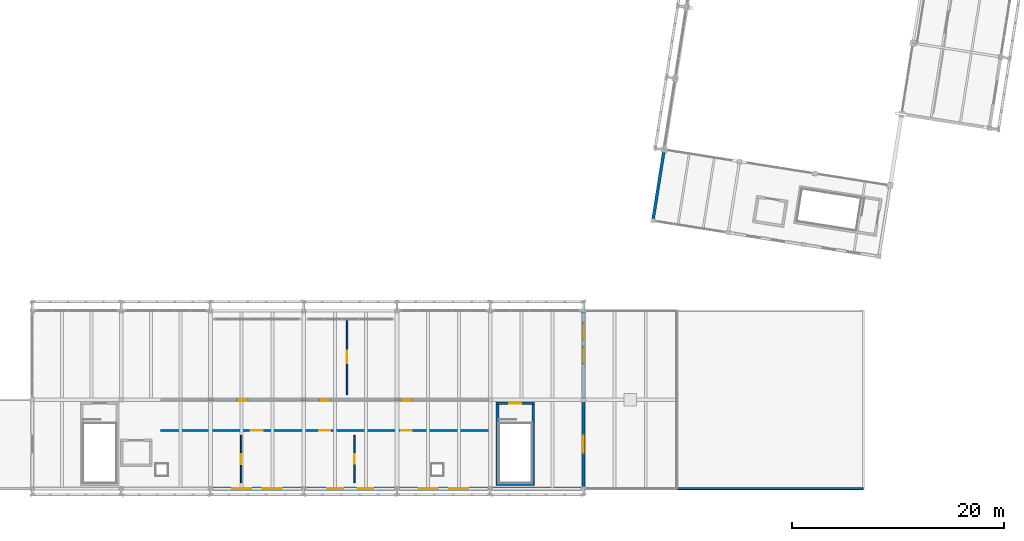
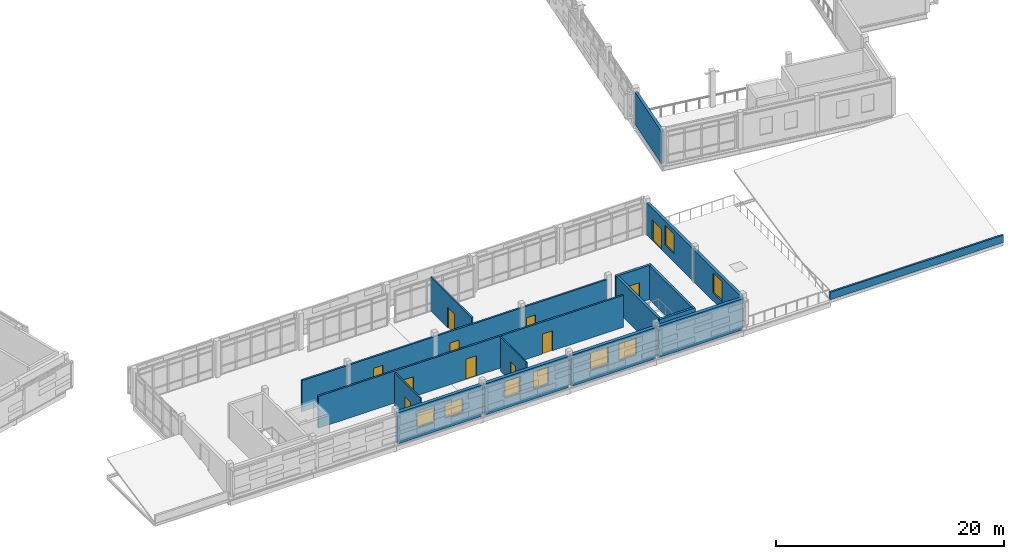
# One storey, part 96 of 117: 17 walls, 11 doors, 8 windows, 19 openings.
"""IFC4 building model written with IfcOpenShell, lengths in metres."""

import ifcopenshell
import ifcopenshell.guid

model = None  # the IFC model being written
_history = None  # IfcOwnerHistory: only IFC2X3 demands one
_inside = {}  # id of a spatial element -> (the spatial element, [elements in it])
_under = {}  # id of a project, library or spatial element -> (it, [spatial elements below it])
_declared = {}  # id of a project -> (the project, [libraries it declares])
_typed = {}  # id of a type object -> (the type object, [elements of that type])
_made_of = {}  # id of a material, layer set ... -> (it, [elements and type objects made of it])


def new_model(schema):
    """Start an empty IFC model of exactly this schema.

    Asked for "IFC4X3", IfcOpenShell would pick the latest addendum, in which some entities
    have other attributes; the version numbers below select the first issue.
    IFC2X3 requires an IfcOwnerHistory on every rooted entity: one is made here for all.
    """
    global model, _history
    if schema == "IFC4X3":
        model = ifcopenshell.file(schema_version=(4, 3, 0, 0))
    else:
        model = ifcopenshell.file(schema=schema)
    _inside.clear()
    _under.clear()
    _declared.clear()
    _typed.clear()
    _made_of.clear()
    _history = None
    if model.schema == "IFC2X3":
        org = make("IfcOrganization", Name="unknown")
        user = make(
            "IfcPersonAndOrganization",
            ThePerson=make("IfcPerson", FamilyName="unknown"),
            TheOrganization=org,
        )
        app = make(
            "IfcApplication",
            ApplicationDeveloper=org,
            Version="unknown",
            ApplicationFullName="unknown",
            ApplicationIdentifier="unknown",
        )
        _history = make(
            "IfcOwnerHistory",
            OwningUser=user,
            OwningApplication=app,
            ChangeAction="ADDED",
            CreationDate=0,
        )
    return model


def make(cls, **values):
    """One entity of the class cls with the attributes given. An attribute that is None is left unset."""
    return model.create_entity(
        cls, **{name: value for name, value in values.items() if value is not None}
    )


def rooted(cls, **values):
    """An entity with a GlobalId (a new one), such as an element, a storey or a relation."""
    return make(cls, GlobalId=ifcopenshell.guid.new(), OwnerHistory=_history, **values)


def si_unit(unit_type, name, prefix=None):
    """IfcSIUnit, for example si_unit("LENGTHUNIT", "METRE", prefix="MILLI")."""
    return make("IfcSIUnit", UnitType=unit_type, Prefix=prefix, Name=name)


def assignment(units):
    """IfcUnitAssignment: the units of a project."""
    return None if units is None else make("IfcUnitAssignment", Units=units)


def point(xyz):
    """IfcCartesianPoint."""
    return None if xyz is None else make("IfcCartesianPoint", Coordinates=xyz)


def direction(xyz):
    """IfcDirection."""
    return None if xyz is None else make("IfcDirection", DirectionRatios=xyz)


def frame(location, z_axis=None, x_axis=None):
    """IfcAxis2Placement3D, a coordinate frame: its origin and axes. An axis left out is left unset."""
    return make(
        "IfcAxis2Placement3D",
        Location=point(location),
        Axis=direction(z_axis),
        RefDirection=direction(x_axis),
    )


def frame_2d(location, x_axis=None):
    """IfcAxis2Placement2D, a coordinate frame in the plane: its origin and x axis."""
    return make(
        "IfcAxis2Placement2D", Location=point(location), RefDirection=direction(x_axis)
    )


def origin():
    """The frame at (0, 0, 0) with its axes left unset."""
    return frame((0.0, 0.0, 0.0))


def place(relative_to, where):
    """IfcLocalPlacement: puts the frame where relative to a parent placement (None: the world)."""
    return make(
        "IfcLocalPlacement", PlacementRelTo=relative_to, RelativePlacement=where
    )


def context(
    kind, dimensions, precision=None, world=None, true_north=None, identifier=None
):
    """IfcGeometricRepresentationContext, for example the 3D "Model" context."""
    return make(
        "IfcGeometricRepresentationContext",
        ContextIdentifier=identifier,
        ContextType=kind,
        CoordinateSpaceDimension=dimensions,
        Precision=precision,
        WorldCoordinateSystem=world,
        TrueNorth=true_north,
    )


def subcontext(parent, identifier, kind, view, scale=None):
    """IfcGeometricRepresentationSubContext, for example "Body" below "Model"."""
    return make(
        "IfcGeometricRepresentationSubContext",
        ContextIdentifier=identifier,
        ContextType=kind,
        ParentContext=parent,
        TargetScale=scale,
        TargetView=view,
    )


def project(units=None, contexts=None):
    """IfcProject with its units and contexts."""
    return rooted(
        "IfcProject",
        Name="project",
        RepresentationContexts=contexts,
        UnitsInContext=assignment(units),
    )


def spatial(cls, under=None, at=None, **own):
    """A site, building, storey or space (cls), placed at a placement, below another one or the project."""
    s = rooted(cls, ObjectPlacement=at, **own)
    if under is not None:
        _under.setdefault(under.id(), (under, []))[1].append(s)
    return s


def profile(cls, at=None, kind="AREA", **sizes):
    """A parametric profile (cls). Its sizes go by their IFC names, for example OverallWidth=200.0."""
    return make(cls, ProfileType=kind, Position=at, **sizes)


def rectangle(**sizes):
    """IfcRectangleProfileDef."""
    return profile("IfcRectangleProfileDef", **sizes)


def extrude(swept, where, along, depth):
    """IfcExtrudedAreaSolid: the profile swept, set in the frame where, extruded along a direction by depth."""
    return make(
        "IfcExtrudedAreaSolid",
        SweptArea=swept,
        Position=where,
        ExtrudedDirection=direction(along),
        Depth=depth,
    )


def shape(context_of_items, identifier, shape_type, items):
    """IfcShapeRepresentation: the items that make up one representation, for example the "Body"."""
    return make(
        "IfcShapeRepresentation",
        ContextOfItems=context_of_items,
        RepresentationIdentifier=identifier,
        RepresentationType=shape_type,
        Items=items,
    )


def material(Name=None, Category=None):
    """IfcMaterial."""
    return make("IfcMaterial", Name=Name, Category=Category)


def layer(
    of_material, thickness, ventilated=None, Name=None, Category=None, Priority=None
):
    """IfcMaterialLayer: one layer of a wall or slab, of a material (None: an air gap)."""
    return make(
        "IfcMaterialLayer",
        Material=of_material,
        LayerThickness=thickness,
        IsVentilated=ventilated,
        Name=Name,
        Category=Category,
        Priority=Priority,
    )


def layer_set(layers, Name=None):
    """IfcMaterialLayerSet."""
    return make("IfcMaterialLayerSet", MaterialLayers=layers, LayerSetName=Name)


def made_of(thing, what):
    """Note that an element or type object is made of a material, layer set ...; save() writes the relation."""
    if what is not None:
        _made_of.setdefault(what.id(), (what, []))[1].append(thing)
    return thing


def type_object(cls, material=None, **own):
    """A type object (cls), such as IfcWallType, which elements share."""
    return made_of(rooted(cls, **own), material)


def element(
    cls,
    number,
    at=None,
    inside=None,
    cuts=None,
    type_object=None,
    material=None,
    context=None,
    identifier="Body",
    shape_type=None,
    held_by="IfcProductDefinitionShape",
    body=None,
    shapes=None,
    **own,
):
    """One element of the class cls, such as IfcWall. Its Tag is "e" and its number.

    at: its placement. inside: the storey or other place that contains it. cuts: it is an
    opening in that element (IfcRelVoidsElement). A single representation is given by context,
    identifier, shape_type and body (its items); several are given by shapes. held_by: the class
    of the entity that holds the representations. save() writes the other relations.
    """
    e = rooted(cls, Tag="e%d" % number, ObjectPlacement=at, **own)
    if body is not None:
        shapes = [shape(context, identifier, shape_type, body)]
    if shapes is not None:
        e.Representation = make(held_by, Representations=shapes)
    if inside is not None:
        _inside.setdefault(inside.id(), (inside, []))[1].append(e)
    if cuts is not None:
        rooted(
            "IfcRelVoidsElement", RelatingBuildingElement=cuts, RelatedOpeningElement=e
        )
    if type_object is not None:
        _typed.setdefault(type_object.id(), (type_object, []))[1].append(e)
    return made_of(e, material)


def fill(opening, filler):
    """IfcRelFillsElement: the door or window that sits in an opening."""
    return rooted(
        "IfcRelFillsElement",
        RelatingOpeningElement=opening,
        RelatedBuildingElement=filler,
    )


def aggregate(whole, parts):
    """IfcRelAggregates: a whole, such as a stair, and the parts it consists of."""
    return rooted("IfcRelAggregates", RelatingObject=whole, RelatedObjects=parts)


def save(model, path):
    """Write the relations noted so far, then the file.

    IfcRelAggregates (storeys below a building ...), IfcRelContainedInSpatialStructure (elements
    in a storey), IfcRelDefinesByType, IfcRelAssociatesMaterial and IfcRelDeclares: one each for
    every whole, place, type object, material and project.
    """
    for whole, parts in _under.values():
        aggregate(whole, parts)
    for where, things in _inside.values():
        rooted(
            "IfcRelContainedInSpatialStructure",
            RelatedElements=things,
            RelatingStructure=where,
        )
    for kind, things in _typed.values():
        rooted("IfcRelDefinesByType", RelatedObjects=things, RelatingType=kind)
    for what, things in _made_of.values():
        rooted("IfcRelAssociatesMaterial", RelatedObjects=things, RelatingMaterial=what)
    for by, libraries in _declared.values():
        rooted("IfcRelDeclares", RelatingContext=by, RelatedDefinitions=libraries)
    model.write(path)


model = new_model("IFC4")

# Units and contexts
model_context = context("Model", 3, precision=1e-05, world=origin(), true_north=direction((0.0, 1.0)))
body_context = subcontext(model_context, "Body", "Model", "MODEL_VIEW")
ifc_project = project(units=[si_unit("LENGTHUNIT", "METRE"), si_unit("AREAUNIT", "SQUARE_METRE"), si_unit("VOLUMEUNIT", "CUBIC_METRE"), si_unit("PLANEANGLEUNIT", "RADIAN"), si_unit("MASSUNIT", "GRAM", prefix="KILO")], contexts=[model_context])

# Site, building, storey
site_placement = place(None, origin())
site = spatial("IfcSite", under=ifc_project, at=site_placement, CompositionType="ELEMENT")
building_placement = place(site_placement, origin())
building = spatial("IfcBuilding", under=site, at=building_placement, Name="Cinderway Yard Community Centre", CompositionType="ELEMENT")
storey_placement = place(building_placement, frame((0.0, 0.0, 9.0)))
storey = spatial("IfcBuildingStorey", under=building, at=storey_placement, Name="L02", CompositionType="ELEMENT", Elevation=9.0)

# Wall
ifc_material_1 = material(Name="Concrete C35/45", Category="concrete")
ifc_layer_1 = layer(ifc_material_1, 0.280029296875, Name="Concrete C35/45")
ifc_layer_set_1 = layer_set([ifc_layer_1], Name="Concrete C35/45")
wall_type_1 = type_object("IfcWallType", Name="ENV-WAL-EXT280", PredefinedType="SOLIDWALL", material=ifc_layer_set_1)
wall_1_placement = place(storey_placement, frame((116.948974609375, 31.363037109375, 0.0), z_axis=(0.0, 0.0, 1.0), x_axis=(0.156349649217, 0.987701770369, 0.0)))
element("IfcWall", 1, at=wall_1_placement, inside=storey, type_object=wall_type_1, Name="Sports Return Wall ENV-WAL-L02-0084", PredefinedType="SOLIDWALL", context=body_context, shape_type="SweptSolid", body=[
    extrude(rectangle(XDim=6.639404296875, YDim=0.280029296875, at=frame_2d((3.31982421875, 0.0))), origin(), (0.0, 0.0, 1.0), 3.449951171875),
])

# Wall, opening, window
ifc_material_2 = material(Name="Brick Masonry", Category="masonry")
ifc_layer_2 = layer(ifc_material_2, 0.300048828125, Name="Brick Masonry")
ifc_layer_set_2 = layer_set([ifc_layer_2], Name="Brick Masonry")
wall_type_2 = type_object("IfcWallType", Name="ENV-WAL-EXT300", PredefinedType="SOLIDWALL", material=ifc_layer_set_2)
wall_2_placement = place(storey_placement, frame((110.39990234375, 6.10009765625, 0.0), z_axis=(0.0, 0.0, 1.0), x_axis=(0.0, 1.0, 0.0)))
wall_2 = element("IfcWall", 2, at=wall_2_placement, inside=storey, type_object=wall_type_2, Name="V3 East End Wall ENV-WAL-L02-0124", PredefinedType="SOLIDWALL", context=body_context, shape_type="SweptSolid", body=[
    extrude(rectangle(XDim=8.199951171875, YDim=0.300048828125, at=frame_2d((4.10009765625, 0.0))), origin(), (0.0, 0.0, 1.0), 3.425048828125),
])
opening_1_placement = place(wall_2_placement, frame((3.300048828125, 0.0, 0.89990234375)))
opening_1 = element("IfcOpeningElement", 3, at=opening_1_placement, cuts=wall_2, Name="Opening W-14", PredefinedType="OPENING", context=body_context, shape_type="SweptSolid", body=[
    extrude(rectangle(XDim=1.60009765625, YDim=2.10009765625, at=frame_2d((0.800048828125, 1.050048828125))), frame((0.0, 0.159912109375, 0.0), z_axis=(0.0, -1.0, 0.0), x_axis=(1.0, 0.0, 0.0)), (0.0, 0.0, 1.0), 0.320068359375),
])
ifc_material_3 = material(Name="Laminated Low-E Glass", Category="glass")
window_type_1 = type_object("IfcWindowType", Name="ENV-WIN-W14", PartitioningType="DOUBLE_PANEL_VERTICAL", PredefinedType="WINDOW", material=ifc_material_3)
window_1_placement = place(opening_1_placement, origin())
window_1 = element("IfcWindow", 4, at=window_1_placement, inside=storey, type_object=window_type_1, Name="Exterior window ENV-WIN-L02-0088", OverallHeight=2.10009765625, OverallWidth=1.60009765625, PartitioningType="SINGLE_PANEL", PredefinedType="WINDOW", context=body_context, shape_type="SweptSolid", body=[
    extrude(rectangle(XDim=1.60009765625, YDim=2.10009765625, at=frame_2d((0.800048828125, 1.050048828125))), frame((0.0, 0.030029296875, 0.0), z_axis=(0.0, -1.0, 0.0), x_axis=(1.0, 0.0, 0.0)), (0.0, 0.0, 1.0), 0.06005859375),
])
fill(opening_1, window_1)

# Wall, openings, window, door
wall_3_placement = place(storey_placement, frame((110.39990234375, 14.5, 0.0), z_axis=(0.0, 0.0, 1.0), x_axis=(0.0, 1.0, 0.0)))
wall_3 = element("IfcWall", 5, at=wall_3_placement, inside=storey, type_object=wall_type_2, Name="V3 East End Wall ENV-WAL-L02-0125", PredefinedType="SOLIDWALL", context=body_context, shape_type="SweptSolid", body=[
    extrude(rectangle(XDim=8.199951171875, YDim=0.300048828125, at=frame_2d((4.10009765625, 0.0))), origin(), (0.0, 0.0, 1.0), 3.425048828125),
])
opening_2_placement = place(wall_3_placement, frame((3.300048828125, 0.0, 0.89990234375)))
opening_2 = element("IfcOpeningElement", 6, at=opening_2_placement, cuts=wall_3, Name="Opening W-14", PredefinedType="OPENING", context=body_context, shape_type="SweptSolid", body=[
    extrude(rectangle(XDim=1.60009765625, YDim=2.10009765625, at=frame_2d((0.800048828125, 1.050048828125))), frame((0.0, 0.159912109375, 0.0), z_axis=(0.0, -1.0, 0.0), x_axis=(1.0, 0.0, 0.0)), (0.0, 0.0, 1.0), 0.320068359375),
])
opening_3_placement = place(wall_3_placement, frame((5.550048828125, 0.0, 0.0)))
opening_3 = element("IfcOpeningElement", 7, at=opening_3_placement, cuts=wall_3, Name="Opening D-TR1", PredefinedType="OPENING", context=body_context, shape_type="SweptSolid", body=[
    extrude(rectangle(XDim=1.60009765625, YDim=2.199951171875, at=frame_2d((0.800048828125, 1.10009765625))), frame((0.0, 0.159912109375, 0.0), z_axis=(0.0, -1.0, 0.0), x_axis=(1.0, 0.0, 0.0)), (0.0, 0.0, 1.0), 0.320068359375),
])
window_2_placement = place(opening_2_placement, origin())
window_2 = element("IfcWindow", 8, at=window_2_placement, inside=storey, type_object=window_type_1, Name="Exterior window ENV-WIN-L02-0089", OverallHeight=2.10009765625, OverallWidth=1.60009765625, PartitioningType="SINGLE_PANEL", PredefinedType="WINDOW", context=body_context, shape_type="SweptSolid", body=[
    extrude(rectangle(XDim=1.60009765625, YDim=2.10009765625, at=frame_2d((0.800048828125, 1.050048828125))), frame((0.0, 0.030029296875, 0.0), z_axis=(0.0, -1.0, 0.0), x_axis=(1.0, 0.0, 0.0)), (0.0, 0.0, 1.0), 0.06005859375),
])
fill(opening_2, window_2)
ifc_material_4 = material(Name="Aluminium 6063-T6", Category="aluminium")
door_type_1 = type_object("IfcDoorType", Name="INT-DOR-TER160", OperationType="DOUBLE_DOOR_SINGLE_SWING", PredefinedType="DOOR", material=ifc_material_4)
door_1_placement = place(opening_3_placement, origin())
door_1 = element("IfcDoor", 9, at=door_1_placement, inside=storey, type_object=door_type_1, Name="V3 Youth Lounge East Terrace Door EXT-DOR-L02-0086", OperationType="DOUBLE_DOOR_SINGLE_SWING", OverallHeight=2.199951171875, OverallWidth=1.60009765625, PredefinedType="DOOR", context=body_context, shape_type="SweptSolid", body=[
    extrude(rectangle(XDim=1.60009765625, YDim=2.199951171875, at=frame_2d((0.800048828125, 1.10009765625))), frame((0.0, 0.02490234375, 0.0), z_axis=(0.0, -1.0, 0.0), x_axis=(1.0, 0.0, 0.0)), (0.0, 0.0, 1.0), 0.050048828125),
])
fill(opening_3, door_1)

# Wall, openings, windows
ifc_layer_3 = layer(ifc_material_2, 0.340087890625, Name="Brick Masonry")
ifc_layer_set_3 = layer_set([ifc_layer_3], Name="Brick Masonry")
wall_type_3 = type_object("IfcWallType", Name="ENV-WAL-EXT340", PredefinedType="SOLIDWALL", material=ifc_layer_set_3)
wall_4_placement = place(storey_placement, frame((75.300048828125, 6.0, 0.0), z_axis=(0.0, 0.0, 1.0), x_axis=(1.0, 0.0, 0.0)))
wall_4 = element("IfcWall", 10, at=wall_4_placement, inside=storey, type_object=wall_type_3, Name="Dining South Brick Wall ENV-WAL-L02-0119", PredefinedType="SOLIDWALL", context=body_context, shape_type="SweptSolid", body=[
    extrude(rectangle(XDim=8.599853515625, YDim=0.340087890625, at=frame_2d((4.2998046875, 0.0))), origin(), (0.0, 0.0, 1.0), 3.345947265625),
])
opening_4_placement = place(wall_4_placement, frame((1.967041015625, 0.0, 1.10009765625)))
opening_4 = element("IfcOpeningElement", 11, at=opening_4_placement, cuts=wall_4, Name="Opening W-03", PredefinedType="OPENING", context=body_context, shape_type="SweptSolid", body=[
    extrude(rectangle(XDim=1.800048828125, YDim=1.5, at=frame_2d((0.89990234375, 0.75))), frame((0.0, 0.179931640625, 0.0), z_axis=(0.0, -1.0, 0.0), x_axis=(1.0, 0.0, 0.0)), (0.0, 0.0, 1.0), 0.360107421875),
])
opening_5_placement = place(wall_4_placement, frame((4.8330078125, 0.0, 1.10009765625)))
opening_5 = element("IfcOpeningElement", 12, at=opening_5_placement, cuts=wall_4, Name="Opening W-03", PredefinedType="OPENING", context=body_context, shape_type="SweptSolid", body=[
    extrude(rectangle(XDim=1.800048828125, YDim=1.5, at=frame_2d((0.89990234375, 0.75))), frame((0.0, 0.179931640625, 0.0), z_axis=(0.0, -1.0, 0.0), x_axis=(1.0, 0.0, 0.0)), (0.0, 0.0, 1.0), 0.360107421875),
])
window_type_2 = type_object("IfcWindowType", Name="ENV-WIN-W03", PartitioningType="DOUBLE_PANEL_VERTICAL", PredefinedType="WINDOW", material=ifc_material_3)
window_3_placement = place(opening_4_placement, origin())
window_3 = element("IfcWindow", 13, at=window_3_placement, inside=storey, type_object=window_type_2, Name="Exterior window ENV-WIN-L02-0081", OverallHeight=1.5, OverallWidth=1.800048828125, PartitioningType="SINGLE_PANEL", PredefinedType="WINDOW", context=body_context, shape_type="SweptSolid", body=[
    extrude(rectangle(XDim=1.800048828125, YDim=1.5, at=frame_2d((0.89990234375, 0.75))), frame((0.0, 0.030029296875, 0.0), z_axis=(0.0, -1.0, 0.0), x_axis=(1.0, 0.0, 0.0)), (0.0, 0.0, 1.0), 0.06005859375),
])
fill(opening_4, window_3)
window_4_placement = place(opening_5_placement, origin())
window_4 = element("IfcWindow", 14, at=window_4_placement, inside=storey, type_object=window_type_2, Name="Exterior window ENV-WIN-L02-0082", OverallHeight=1.5, OverallWidth=1.800048828125, PartitioningType="SINGLE_PANEL", PredefinedType="WINDOW", context=body_context, shape_type="SweptSolid", body=[
    extrude(rectangle(XDim=1.800048828125, YDim=1.5, at=frame_2d((0.89990234375, 0.75))), frame((0.0, 0.030029296875, 0.0), z_axis=(0.0, -1.0, 0.0), x_axis=(1.0, 0.0, 0.0)), (0.0, 0.0, 1.0), 0.06005859375),
])
fill(opening_5, window_4)

wall_5_placement = place(storey_placement, frame((84.10009765625, 6.0, 0.0), z_axis=(0.0, 0.0, 1.0), x_axis=(1.0, 0.0, 0.0)))
wall_5 = element("IfcWall", 15, at=wall_5_placement, inside=storey, type_object=wall_type_3, Name="Dining South Brick Wall ENV-WAL-L02-0120", PredefinedType="SOLIDWALL", context=body_context, shape_type="SweptSolid", body=[
    extrude(rectangle(XDim=8.599853515625, YDim=0.340087890625, at=frame_2d((4.2998046875, 0.0))), origin(), (0.0, 0.0, 1.0), 3.345947265625),
])
opening_6_placement = place(wall_5_placement, frame((2.116943359375, 0.0, 1.10009765625)))
opening_6 = element("IfcOpeningElement", 16, at=opening_6_placement, cuts=wall_5, Name="Opening W-07", PredefinedType="OPENING", context=body_context, shape_type="SweptSolid", body=[
    extrude(rectangle(XDim=1.5, YDim=1.800048828125, at=frame_2d((0.75, 0.89990234375))), frame((0.0, 0.179931640625, 0.0), z_axis=(0.0, -1.0, 0.0), x_axis=(1.0, 0.0, 0.0)), (0.0, 0.0, 1.0), 0.360107421875),
])
opening_7_placement = place(wall_5_placement, frame((4.98291015625, 0.0, 1.10009765625)))
opening_7 = element("IfcOpeningElement", 17, at=opening_7_placement, cuts=wall_5, Name="Opening W-07", PredefinedType="OPENING", context=body_context, shape_type="SweptSolid", body=[
    extrude(rectangle(XDim=1.5, YDim=1.800048828125, at=frame_2d((0.75, 0.89990234375))), frame((0.0, 0.179931640625, 0.0), z_axis=(0.0, -1.0, 0.0), x_axis=(1.0, 0.0, 0.0)), (0.0, 0.0, 1.0), 0.360107421875),
])
window_type_3 = type_object("IfcWindowType", Name="ENV-WIN-W07", PartitioningType="DOUBLE_PANEL_VERTICAL", PredefinedType="WINDOW", material=ifc_material_3)
window_5_placement = place(opening_6_placement, origin())
window_5 = element("IfcWindow", 18, at=window_5_placement, inside=storey, type_object=window_type_3, Name="Exterior window ENV-WIN-L02-0083", OverallHeight=1.800048828125, OverallWidth=1.5, PartitioningType="SINGLE_PANEL", PredefinedType="WINDOW", context=body_context, shape_type="SweptSolid", body=[
    extrude(rectangle(XDim=1.5, YDim=1.800048828125, at=frame_2d((0.75, 0.89990234375))), frame((0.0, 0.030029296875, 0.0), z_axis=(0.0, -1.0, 0.0), x_axis=(1.0, 0.0, 0.0)), (0.0, 0.0, 1.0), 0.06005859375),
])
fill(opening_6, window_5)
window_6_placement = place(opening_7_placement, origin())
window_6 = element("IfcWindow", 19, at=window_6_placement, inside=storey, type_object=window_type_3, Name="Exterior window ENV-WIN-L02-0084", OverallHeight=1.800048828125, OverallWidth=1.5, PartitioningType="SINGLE_PANEL", PredefinedType="WINDOW", context=body_context, shape_type="SweptSolid", body=[
    extrude(rectangle(XDim=1.5, YDim=1.800048828125, at=frame_2d((0.75, 0.89990234375))), frame((0.0, 0.030029296875, 0.0), z_axis=(0.0, -1.0, 0.0), x_axis=(1.0, 0.0, 0.0)), (0.0, 0.0, 1.0), 0.06005859375),
])
fill(opening_7, window_6)

wall_6_placement = place(storey_placement, frame((92.89990234375, 6.0, 0.0), z_axis=(0.0, 0.0, 1.0), x_axis=(1.0, 0.0, 0.0)))
wall_6 = element("IfcWall", 20, at=wall_6_placement, inside=storey, type_object=wall_type_3, Name="Dining South Brick Wall ENV-WAL-L02-0121", PredefinedType="SOLIDWALL", context=body_context, shape_type="SweptSolid", body=[
    extrude(rectangle(XDim=8.60009765625, YDim=0.340087890625, at=frame_2d((4.300048828125, 0.0))), origin(), (0.0, 0.0, 1.0), 3.345947265625),
])
opening_8_placement = place(wall_6_placement, frame((1.967041015625, 0.0, 1.10009765625)))
opening_8 = element("IfcOpeningElement", 21, at=opening_8_placement, cuts=wall_6, Name="Opening W-08", PredefinedType="OPENING", context=body_context, shape_type="SweptSolid", body=[
    extrude(rectangle(XDim=1.800048828125, YDim=1.800048828125, at=frame_2d((0.89990234375, 0.89990234375))), frame((0.0, 0.179931640625, 0.0), z_axis=(0.0, -1.0, 0.0), x_axis=(1.0, 0.0, 0.0)), (0.0, 0.0, 1.0), 0.360107421875),
])
opening_9_placement = place(wall_6_placement, frame((4.8330078125, 0.0, 1.10009765625)))
opening_9 = element("IfcOpeningElement", 22, at=opening_9_placement, cuts=wall_6, Name="Opening W-08", PredefinedType="OPENING", context=body_context, shape_type="SweptSolid", body=[
    extrude(rectangle(XDim=1.800048828125, YDim=1.800048828125, at=frame_2d((0.89990234375, 0.89990234375))), frame((0.0, 0.179931640625, 0.0), z_axis=(0.0, -1.0, 0.0), x_axis=(1.0, 0.0, 0.0)), (0.0, 0.0, 1.0), 0.360107421875),
])
window_type_4 = type_object("IfcWindowType", Name="ENV-WIN-W08", PartitioningType="DOUBLE_PANEL_VERTICAL", PredefinedType="WINDOW", material=ifc_material_3)
window_7_placement = place(opening_8_placement, origin())
window_7 = element("IfcWindow", 23, at=window_7_placement, inside=storey, type_object=window_type_4, Name="Exterior window ENV-WIN-L02-0085", OverallHeight=1.800048828125, OverallWidth=1.800048828125, PartitioningType="SINGLE_PANEL", PredefinedType="WINDOW", context=body_context, shape_type="SweptSolid", body=[
    extrude(rectangle(XDim=1.800048828125, YDim=1.800048828125, at=frame_2d((0.89990234375, 0.89990234375))), frame((0.0, 0.030029296875, 0.0), z_axis=(0.0, -1.0, 0.0), x_axis=(1.0, 0.0, 0.0)), (0.0, 0.0, 1.0), 0.06005859375),
])
fill(opening_8, window_7)
window_8_placement = place(opening_9_placement, origin())
window_8 = element("IfcWindow", 24, at=window_8_placement, inside=storey, type_object=window_type_4, Name="Exterior window ENV-WIN-L02-0086", OverallHeight=1.800048828125, OverallWidth=1.800048828125, PartitioningType="SINGLE_PANEL", PredefinedType="WINDOW", context=body_context, shape_type="SweptSolid", body=[
    extrude(rectangle(XDim=1.800048828125, YDim=1.800048828125, at=frame_2d((0.89990234375, 0.89990234375))), frame((0.0, 0.030029296875, 0.0), z_axis=(0.0, -1.0, 0.0), x_axis=(1.0, 0.0, 0.0)), (0.0, 0.0, 1.0), 0.06005859375),
])
fill(opening_9, window_8)

# Walls
wall_7_placement = place(storey_placement, frame((101.699951171875, 6.0, 0.0), z_axis=(0.0, 0.0, 1.0), x_axis=(1.0, 0.0, 0.0)))
element("IfcWall", 25, at=wall_7_placement, inside=storey, type_object=wall_type_3, Name="Dining South Brick Wall ENV-WAL-L02-0122", PredefinedType="SOLIDWALL", context=body_context, shape_type="SweptSolid", body=[
    extrude(rectangle(XDim=8.60009765625, YDim=0.340087890625, at=frame_2d((4.300048828125, 0.0))), origin(), (0.0, 0.0, 1.0), 3.345947265625),
])
ifc_layer_4 = layer(ifc_material_2, 0.179931640625, Name="Brick Masonry")
ifc_layer_set_4 = layer_set([ifc_layer_4], Name="Brick Masonry")
wall_type_4 = type_object("IfcWallType", Name="ENV-WAL-PAR180", PredefinedType="PARAPET", material=ifc_layer_set_4)
wall_8_placement = place(storey_placement, frame((119.199951171875, 6.0, 0.050048828125), z_axis=(0.0, 0.0, 1.0), x_axis=(1.0, 0.0, 0.0)))
element("IfcWall", 26, at=wall_8_placement, inside=storey, type_object=wall_type_4, Name="Roof parapet upstand ENV-WAL-L02-0244", PredefinedType="PARAPET", context=body_context, shape_type="SweptSolid", body=[
    extrude(rectangle(XDim=17.60009765625, YDim=0.179931640625, at=frame_2d((8.800048828125, 0.0))), origin(), (0.0, 0.0, 1.0), 0.800048828125),
])

# Wall, opening, door
ifc_material_5 = material(Name="Gypsum Board Partition", Category="gypsum")
ifc_layer_5 = layer(ifc_material_5, 0.139892578125, Name="Gypsum Board Partition")
ifc_layer_set_5 = layer_set([ifc_layer_5], Name="Gypsum Board Partition")
wall_type_5 = type_object("IfcWallType", Name="INT-WAL-PRT140", PredefinedType="PARTITIONING", material=ifc_layer_set_5)
wall_9_placement = place(storey_placement, frame((78.10009765625, 6.550048828125, 0.0), z_axis=(0.0, 0.0, 1.0), x_axis=(0.0, 1.0, 0.0)))
wall_9 = element("IfcWall", 27, at=wall_9_placement, inside=storey, type_object=wall_type_5, Name="V3 South Room Divider INT-PRT-L02-0274", PredefinedType="PARTITIONING", context=body_context, shape_type="SweptSolid", body=[
    extrude(rectangle(XDim=4.5, YDim=0.139892578125, at=frame_2d((2.25, 0.0))), origin(), (0.0, 0.0, 1.0), 3.527099609375),
])
opening_10_placement = place(wall_9_placement, frame((1.77001953125, 0.0, 0.0)))
opening_10 = element("IfcOpeningElement", 28, at=opening_10_placement, cuts=wall_9, Name="Opening D-09", PredefinedType="OPENING", context=body_context, shape_type="SweptSolid", body=[
    extrude(rectangle(XDim=0.9599609375, YDim=2.080078125, at=frame_2d((0.47998046875, 1.0400390625))), frame((0.0, 0.079833984375, 0.0), z_axis=(0.0, -1.0, 0.0), x_axis=(1.0, 0.0, 0.0)), (0.0, 0.0, 1.0), 0.159912109375),
])
ifc_material_6 = material(Name="Hardwood Timber", Category="wood")
door_type_2 = type_object("IfcDoorType", Name="INT-DOR-SAN096", OperationType="NOTDEFINED", PredefinedType="DOOR", material=ifc_material_6)
door_2_placement = place(opening_10_placement, origin())
door_2 = element("IfcDoor", 29, at=door_2_placement, inside=storey, type_object=door_type_2, Name="Room door INT-DOR-L02-0205", OperationType="SINGLE_SWING_LEFT", OverallHeight=2.080078125, OverallWidth=0.9599609375, PredefinedType="DOOR", context=body_context, shape_type="SweptSolid", body=[
    extrude(rectangle(XDim=0.9599609375, YDim=2.080078125, at=frame_2d((0.47998046875, 1.0400390625))), frame((0.0, 0.02490234375, 0.0), z_axis=(0.0, -1.0, 0.0), x_axis=(1.0, 0.0, 0.0)), (0.0, 0.0, 1.0), 0.050048828125),
])
fill(opening_10, door_2)

wall_10_placement = place(storey_placement, frame((88.800048828125, 6.550048828125, 0.0), z_axis=(0.0, 0.0, 1.0), x_axis=(0.0, 1.0, 0.0)))
wall_10 = element("IfcWall", 30, at=wall_10_placement, inside=storey, type_object=wall_type_5, Name="V3 South Room Divider INT-PRT-L02-0275", PredefinedType="PARTITIONING", context=body_context, shape_type="SweptSolid", body=[
    extrude(rectangle(XDim=4.5, YDim=0.139892578125, at=frame_2d((2.25, 0.0))), origin(), (0.0, 0.0, 1.0), 3.64501953125),
])
opening_11_placement = place(wall_10_placement, frame((1.800048828125, 0.0, 0.0)))
opening_11 = element("IfcOpeningElement", 31, at=opening_11_placement, cuts=wall_10, Name="Opening D-10", PredefinedType="OPENING", context=body_context, shape_type="SweptSolid", body=[
    extrude(rectangle(XDim=0.89990234375, YDim=2.06005859375, at=frame_2d((0.449951171875, 1.030029296875))), frame((0.0, 0.079833984375, 0.0), z_axis=(0.0, -1.0, 0.0), x_axis=(1.0, 0.0, 0.0)), (0.0, 0.0, 1.0), 0.159912109375),
])
door_type_3 = type_object("IfcDoorType", Name="INT-DOR-SAN090", OperationType="NOTDEFINED", PredefinedType="DOOR", material=ifc_material_6)
door_3_placement = place(opening_11_placement, origin())
door_3 = element("IfcDoor", 32, at=door_3_placement, inside=storey, type_object=door_type_3, Name="Room door INT-DOR-L02-0206", OperationType="SINGLE_SWING_RIGHT", OverallHeight=2.06005859375, OverallWidth=0.89990234375, PredefinedType="DOOR", context=body_context, shape_type="SweptSolid", body=[
    extrude(rectangle(XDim=0.89990234375, YDim=2.06005859375, at=frame_2d((0.449951171875, 1.030029296875))), frame((0.0, 0.02490234375, 0.0), z_axis=(0.0, -1.0, 0.0), x_axis=(1.0, 0.0, 0.0)), (0.0, 0.0, 1.0), 0.050048828125),
])
fill(opening_11, door_3)

ifc_layer_6 = layer(ifc_material_5, 0.159912109375, Name="Gypsum Board Partition")
ifc_layer_set_6 = layer_set([ifc_layer_6], Name="Gypsum Board Partition")
wall_type_6 = type_object("IfcWallType", Name="INT-WAL-PRT160", PredefinedType="PARTITIONING", material=ifc_layer_set_6)
wall_11_placement = place(storey_placement, frame((88.10009765625, 14.85009765625, 0.0), z_axis=(0.0, 0.0, 1.0), x_axis=(0.0, 1.0, 0.0)))
wall_11 = element("IfcWall", 33, at=wall_11_placement, inside=storey, type_object=wall_type_6, Name="V3 North Room Divider INT-PRT-L02-0276", PredefinedType="PARTITIONING", context=body_context, shape_type="SweptSolid", body=[
    extrude(rectangle(XDim=7.199951171875, YDim=0.159912109375, at=frame_2d((3.60009765625, 0.0))), origin(), (0.0, 0.0, 1.0), 3.64501953125),
])
opening_12_placement = place(wall_11_placement, frame((3.010009765625, 0.0, 0.0)))
opening_12 = element("IfcOpeningElement", 34, at=opening_12_placement, cuts=wall_11, Name="Opening D-11", PredefinedType="OPENING", context=body_context, shape_type="SweptSolid", body=[
    extrude(rectangle(XDim=1.179931640625, YDim=2.179931640625, at=frame_2d((0.58984375, 1.08984375))), frame((0.0, 0.08984375, 0.0), z_axis=(0.0, -1.0, 0.0), x_axis=(1.0, 0.0, 0.0)), (0.0, 0.0, 1.0), 0.179931640625),
])
ifc_material_7 = material(Name="Painted Galvanised Steel", Category="steel")
door_type_4 = type_object("IfcDoorType", Name="INT-DOR-STR118", OperationType="NOTDEFINED", PredefinedType="DOOR", material=ifc_material_7)
door_4_placement = place(opening_12_placement, origin())
door_4 = element("IfcDoor", 35, at=door_4_placement, inside=storey, type_object=door_type_4, Name="Room door INT-DOR-L02-0207", OperationType="SINGLE_SWING_LEFT", OverallHeight=2.179931640625, OverallWidth=1.179931640625, PredefinedType="DOOR", context=body_context, shape_type="SweptSolid", body=[
    extrude(rectangle(XDim=1.179931640625, YDim=2.179931640625, at=frame_2d((0.58984375, 1.08984375))), frame((0.0, 0.02490234375, 0.0), z_axis=(0.0, -1.0, 0.0), x_axis=(1.0, 0.0, 0.0)), (0.0, 0.0, 1.0), 0.050048828125),
])
fill(opening_12, door_4)

# Wall, openings, doors
ifc_layer_7 = layer(ifc_material_2, 0.179931640625, Name="Brick Masonry")
ifc_layer_set_7 = layer_set([ifc_layer_7], Name="Brick Masonry")
wall_type_7 = type_object("IfcWallType", Name="INT-WAL-PRT180", PredefinedType="PARTITIONING", material=ifc_layer_set_7)
wall_12_placement = place(storey_placement, frame((70.5, 11.5, 0.0), z_axis=(0.0, 0.0, 1.0), x_axis=(1.0, 0.0, 0.0)))
wall_12 = element("IfcWall", 36, at=wall_12_placement, inside=storey, type_object=wall_type_7, Name="V3 South Corridor Wall INT-PRT-L02-0272", PredefinedType="PARTITIONING", context=body_context, shape_type="SweptSolid", body=[
    extrude(rectangle(XDim=30.949951171875, YDim=0.179931640625, at=frame_2d((15.47509765625, 0.0))), origin(), (0.0, 0.0, 1.0), 3.425048828125),
])
opening_13_placement = place(wall_12_placement, frame((8.527099609375, 0.0, 0.0)))
opening_13 = element("IfcOpeningElement", 37, at=opening_13_placement, cuts=wall_12, Name="Opening D-03", PredefinedType="OPENING", context=body_context, shape_type="SweptSolid", body=[
    extrude(rectangle(XDim=1.1201171875, YDim=2.159912109375, at=frame_2d((0.56005859375, 1.080078125))), frame((0.0, 0.099853515625, 0.0), z_axis=(0.0, -1.0, 0.0), x_axis=(1.0, 0.0, 0.0)), (0.0, 0.0, 1.0), 0.199951171875),
])
opening_14_placement = place(wall_12_placement, frame((14.945068359375, 0.0, 0.0)))
opening_14 = element("IfcOpeningElement", 38, at=opening_14_placement, cuts=wall_12, Name="Opening D-04", PredefinedType="OPENING", context=body_context, shape_type="SweptSolid", body=[
    extrude(rectangle(XDim=1.06005859375, YDim=2.159912109375, at=frame_2d((0.530029296875, 1.080078125))), frame((0.0, 0.099853515625, 0.0), z_axis=(0.0, -1.0, 0.0), x_axis=(1.0, 0.0, 0.0)), (0.0, 0.0, 1.0), 0.199951171875),
])
opening_15_placement = place(wall_12_placement, frame((22.712890625, 0.0, 0.0)))
opening_15 = element("IfcOpeningElement", 39, at=opening_15_placement, cuts=wall_12, Name="Opening D-05", PredefinedType="OPENING", context=body_context, shape_type="SweptSolid", body=[
    extrude(rectangle(XDim=1.0, YDim=2.139892578125, at=frame_2d((0.5, 1.06982421875))), frame((0.0, 0.099853515625, 0.0), z_axis=(0.0, -1.0, 0.0), x_axis=(1.0, 0.0, 0.0)), (0.0, 0.0, 1.0), 0.199951171875),
])
door_type_5 = type_object("IfcDoorType", Name="INT-DOR-CLS100", OperationType="NOTDEFINED", PredefinedType="DOOR", material=ifc_material_6)
door_5_placement = place(opening_15_placement, origin())
door_5 = element("IfcDoor", 40, at=door_5_placement, inside=storey, type_object=door_type_5, Name="Room door INT-DOR-L02-0201", OperationType="SINGLE_SWING_LEFT", OverallHeight=2.139892578125, OverallWidth=1.0, PredefinedType="DOOR", context=body_context, shape_type="SweptSolid", body=[
    extrude(rectangle(XDim=1.0, YDim=2.139892578125, at=frame_2d((0.5, 1.06982421875))), frame((0.0, 0.02490234375, 0.0), z_axis=(0.0, -1.0, 0.0), x_axis=(1.0, 0.0, 0.0)), (0.0, 0.0, 1.0), 0.050048828125),
])
fill(opening_15, door_5)
door_type_6 = type_object("IfcDoorType", Name="INT-DOR-CLS106", OperationType="NOTDEFINED", PredefinedType="DOOR", material=ifc_material_6)
door_6_placement = place(opening_14_placement, origin())
door_6 = element("IfcDoor", 41, at=door_6_placement, inside=storey, type_object=door_type_6, Name="Room door INT-DOR-L02-0200", OperationType="SINGLE_SWING_RIGHT", OverallHeight=2.159912109375, OverallWidth=1.06005859375, PredefinedType="DOOR", context=body_context, shape_type="SweptSolid", body=[
    extrude(rectangle(XDim=1.06005859375, YDim=2.159912109375, at=frame_2d((0.530029296875, 1.080078125))), frame((0.0, 0.02490234375, 0.0), z_axis=(0.0, -1.0, 0.0), x_axis=(1.0, 0.0, 0.0)), (0.0, 0.0, 1.0), 0.050048828125),
])
fill(opening_14, door_6)
door_type_7 = type_object("IfcDoorType", Name="INT-DOR-CLS112", OperationType="NOTDEFINED", PredefinedType="DOOR", material=ifc_material_6)
door_7_placement = place(opening_13_placement, origin())
door_7 = element("IfcDoor", 42, at=door_7_placement, inside=storey, type_object=door_type_7, Name="Room door INT-DOR-L02-0199", OperationType="SINGLE_SWING_LEFT", OverallHeight=2.159912109375, OverallWidth=1.1201171875, PredefinedType="DOOR", context=body_context, shape_type="SweptSolid", body=[
    extrude(rectangle(XDim=1.1201171875, YDim=2.159912109375, at=frame_2d((0.56005859375, 1.080078125))), frame((0.0, 0.02490234375, 0.0), z_axis=(0.0, -1.0, 0.0), x_axis=(1.0, 0.0, 0.0)), (0.0, 0.0, 1.0), 0.050048828125),
])
fill(opening_13, door_7)

wall_13_placement = place(storey_placement, frame((70.5, 14.39990234375, 0.0), z_axis=(0.0, 0.0, 1.0), x_axis=(1.0, 0.0, 0.0)))
wall_13 = element("IfcWall", 43, at=wall_13_placement, inside=storey, type_object=wall_type_7, Name="V3 North Corridor Wall INT-PRT-L02-0273", PredefinedType="PARTITIONING", context=body_context, shape_type="SweptSolid", body=[
    extrude(rectangle(XDim=30.949951171875, YDim=0.179931640625, at=frame_2d((15.47509765625, 0.0))), origin(), (0.0, 0.0, 1.0), 3.345947265625),
])
opening_16_placement = place(wall_13_placement, frame((7.2470703125, 0.0, 0.0)))
opening_16 = element("IfcOpeningElement", 44, at=opening_16_placement, cuts=wall_13, Name="Opening D-06", PredefinedType="OPENING", context=body_context, shape_type="SweptSolid", body=[
    extrude(rectangle(XDim=0.97998046875, YDim=2.1201171875, at=frame_2d((0.489990234375, 1.06005859375))), frame((0.0, 0.099853515625, 0.0), z_axis=(0.0, -1.0, 0.0), x_axis=(1.0, 0.0, 0.0)), (0.0, 0.0, 1.0), 0.199951171875),
])
opening_17_placement = place(wall_13_placement, frame((15.0, 0.0, 0.0)))
opening_17 = element("IfcOpeningElement", 45, at=opening_17_placement, cuts=wall_13, Name="Opening D-07", PredefinedType="OPENING", context=body_context, shape_type="SweptSolid", body=[
    extrude(rectangle(XDim=0.949951171875, YDim=2.1201171875, at=frame_2d((0.47509765625, 1.06005859375))), frame((0.0, 0.099853515625, 0.0), z_axis=(0.0, -1.0, 0.0), x_axis=(1.0, 0.0, 0.0)), (0.0, 0.0, 1.0), 0.199951171875),
])
opening_18_placement = place(wall_13_placement, frame((22.7529296875, 0.0, 0.0)))
opening_18 = element("IfcOpeningElement", 46, at=opening_18_placement, cuts=wall_13, Name="Opening D-08", PredefinedType="OPENING", context=body_context, shape_type="SweptSolid", body=[
    extrude(rectangle(XDim=0.919921875, YDim=2.10009765625, at=frame_2d((0.4599609375, 1.050048828125))), frame((0.0, 0.099853515625, 0.0), z_axis=(0.0, -1.0, 0.0), x_axis=(1.0, 0.0, 0.0)), (0.0, 0.0, 1.0), 0.199951171875),
])
door_type_8 = type_object("IfcDoorType", Name="INT-DOR-OFF092", OperationType="NOTDEFINED", PredefinedType="DOOR", material=ifc_material_6)
door_8_placement = place(opening_18_placement, origin())
door_8 = element("IfcDoor", 47, at=door_8_placement, inside=storey, type_object=door_type_8, Name="Room door INT-DOR-L02-0204", OperationType="SINGLE_SWING_RIGHT", OverallHeight=2.10009765625, OverallWidth=0.919921875, PredefinedType="DOOR", context=body_context, shape_type="SweptSolid", body=[
    extrude(rectangle(XDim=0.919921875, YDim=2.10009765625, at=frame_2d((0.4599609375, 1.050048828125))), frame((0.0, 0.02490234375, 0.0), z_axis=(0.0, -1.0, 0.0), x_axis=(1.0, 0.0, 0.0)), (0.0, 0.0, 1.0), 0.050048828125),
])
fill(opening_18, door_8)
door_type_9 = type_object("IfcDoorType", Name="INT-DOR-OFF095", OperationType="NOTDEFINED", PredefinedType="DOOR", material=ifc_material_6)
door_9_placement = place(opening_17_placement, origin())
door_9 = element("IfcDoor", 48, at=door_9_placement, inside=storey, type_object=door_type_9, Name="Room door INT-DOR-L02-0203", OperationType="SINGLE_SWING_LEFT", OverallHeight=2.1201171875, OverallWidth=0.949951171875, PredefinedType="DOOR", context=body_context, shape_type="SweptSolid", body=[
    extrude(rectangle(XDim=0.949951171875, YDim=2.1201171875, at=frame_2d((0.47509765625, 1.06005859375))), frame((0.0, 0.02490234375, 0.0), z_axis=(0.0, -1.0, 0.0), x_axis=(1.0, 0.0, 0.0)), (0.0, 0.0, 1.0), 0.050048828125),
])
fill(opening_17, door_9)
door_type_10 = type_object("IfcDoorType", Name="INT-DOR-OFF098", OperationType="NOTDEFINED", PredefinedType="DOOR", material=ifc_material_6)
door_10_placement = place(opening_16_placement, origin())
door_10 = element("IfcDoor", 49, at=door_10_placement, inside=storey, type_object=door_type_10, Name="Room door INT-DOR-L02-0202", OperationType="SINGLE_SWING_RIGHT", OverallHeight=2.1201171875, OverallWidth=0.97998046875, PredefinedType="DOOR", context=body_context, shape_type="SweptSolid", body=[
    extrude(rectangle(XDim=0.97998046875, YDim=2.1201171875, at=frame_2d((0.489990234375, 1.06005859375))), frame((0.0, 0.02490234375, 0.0), z_axis=(0.0, -1.0, 0.0), x_axis=(1.0, 0.0, 0.0)), (0.0, 0.0, 1.0), 0.050048828125),
])
fill(opening_16, door_10)

# Wall, opening, door
ifc_material_8 = material(Name="Concrete C40/50", Category="concrete")
ifc_layer_8 = layer(ifc_material_8, 0.25, Name="Concrete C40/50")
ifc_layer_set_8 = layer_set([ifc_layer_8], Name="Concrete C40/50")
wall_type_8 = type_object("IfcWallType", Name="INT-WAL-SHR250", PredefinedType="SHEAR", material=ifc_layer_set_8)
wall_14_placement = place(storey_placement, frame((102.155029296875, 14.070068359375, 0.0), z_axis=(0.0, 0.0, 1.0), x_axis=(1.0, 0.0, 0.0)))
wall_14 = element("IfcWall", 50, at=wall_14_placement, inside=storey, type_object=wall_type_8, Name="Stair ST-10 Entry Wall INT-WAL-L02-0229", PredefinedType="SHEAR", context=body_context, shape_type="SweptSolid", body=[
    extrude(rectangle(XDim=3.60986328125, YDim=0.25, at=frame_2d((1.804931640625, 0.0))), origin(), (0.0, 0.0, 1.0), 3.659912109375),
])
opening_19_placement = place(wall_14_placement, frame((1.235107421875, 0.0, 0.0)))
opening_19 = element("IfcOpeningElement", 51, at=opening_19_placement, cuts=wall_14, Name="Opening D-ST2", PredefinedType="OPENING", context=body_context, shape_type="SweptSolid", body=[
    extrude(rectangle(XDim=1.139892578125, YDim=2.14990234375, at=frame_2d((0.56982421875, 1.074951171875))), frame((0.0, 0.135009765625, 0.0), z_axis=(0.0, -1.0, 0.0), x_axis=(1.0, 0.0, 0.0)), (0.0, 0.0, 1.0), 0.27001953125),
])
door_type_11 = type_object("IfcDoorType", Name="INT-DOR-ST114", OperationType="NOTDEFINED", PredefinedType="DOOR", material=ifc_material_7)
door_11_placement = place(opening_19_placement, origin())
door_11 = element("IfcDoor", 52, at=door_11_placement, inside=storey, type_object=door_type_11, Name="Core door INT-DOR-L02-0061", OperationType="SINGLE_SWING_RIGHT", OverallHeight=2.14990234375, OverallWidth=1.139892578125, PredefinedType="DOOR", context=body_context, shape_type="SweptSolid", body=[
    extrude(rectangle(XDim=1.139892578125, YDim=2.14990234375, at=frame_2d((0.56982421875, 1.074951171875))), frame((0.0, 0.02490234375, 0.0), z_axis=(0.0, -1.0, 0.0), x_axis=(1.0, 0.0, 0.0)), (0.0, 0.0, 1.0), 0.050048828125),
])
fill(opening_19, door_11)

# Walls
wall_15_placement = place(storey_placement, frame((105.764892578125, 6.429931640625, 0.0), z_axis=(0.0, 0.0, 1.0), x_axis=(-1.0, 0.0, 0.0)))
element("IfcWall", 53, at=wall_15_placement, inside=storey, type_object=wall_type_8, Name="Stair ST-10 Back Wall INT-WAL-L02-0230", PredefinedType="SHEAR", context=body_context, shape_type="SweptSolid", body=[
    extrude(rectangle(XDim=3.60986328125, YDim=0.25, at=frame_2d((1.804931640625, 0.0))), origin(), (0.0, 0.0, 1.0), 3.659912109375),
])
for number, where, z_axis, x_axis, name in (
    (54, (105.639892578125, 13.945068359375, 0.0), (0.0, 0.0, 1.0), (0.0, -1.0, 0.0), "Stair ST-10 Side Wall L INT-WAL-L02-0231"),
    (55, (102.280029296875, 6.554931640625, 0.0), (0.0, 0.0, 1.0), (0.0, 1.0, 0.0), "Stair ST-10 Side Wall R INT-WAL-L02-0232"),
):
    element("IfcWall", number, at=place(storey_placement, frame(where, z_axis=z_axis, x_axis=x_axis)), inside=storey, type_object=wall_type_8, Name=name, PredefinedType="SHEAR", context=body_context, shape_type="SweptSolid", body=[
        extrude(rectangle(XDim=7.39013671875, YDim=0.25, at=frame_2d((3.695068359375, 0.0))), origin(), (0.0, 0.0, 1.0), 3.659912109375),
    ])

save(model, "model.ifc")
